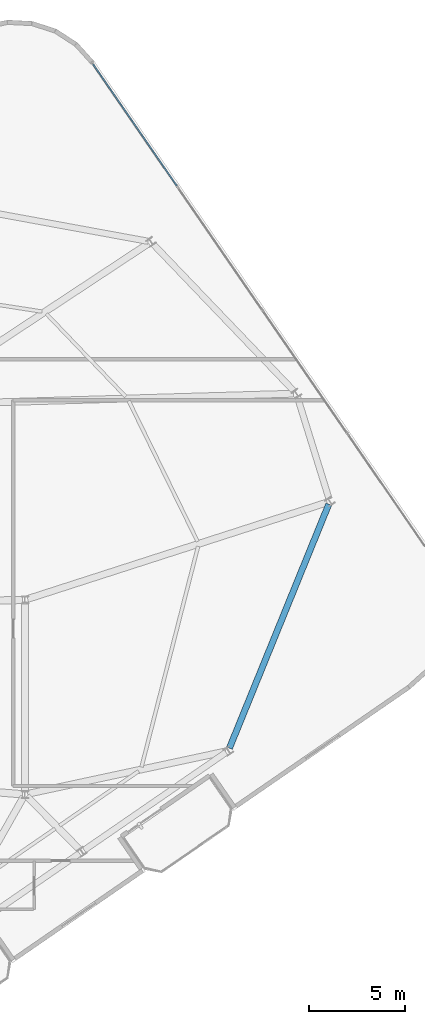
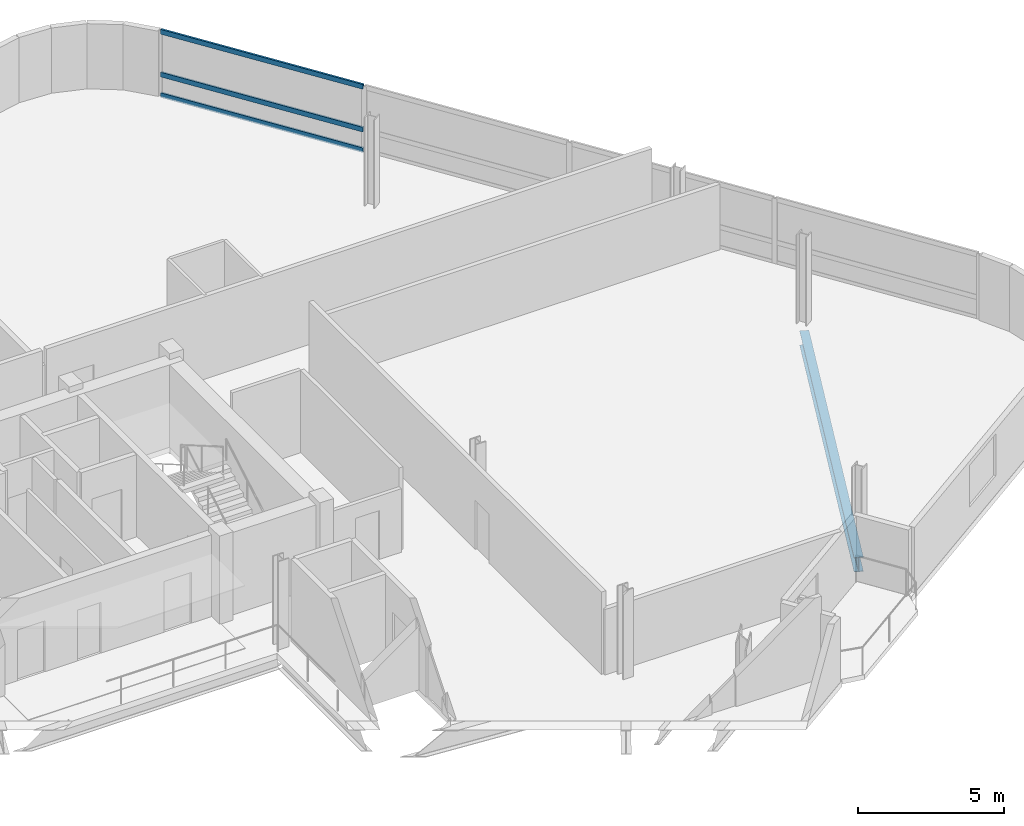
# One storey, part 10 of 21: 3 members, 1 beam, 1 element without a shape of its own.
"""IFC4 building model written with IfcOpenShell, lengths in metres."""

import ifcopenshell
import ifcopenshell.guid

model = None  # the IFC model being written
_history = None  # IfcOwnerHistory: only IFC2X3 demands one
_inside = {}  # id of a spatial element -> (the spatial element, [elements in it])
_under = {}  # id of a project, library or spatial element -> (it, [spatial elements below it])
_declared = {}  # id of a project -> (the project, [libraries it declares])
_typed = {}  # id of a type object -> (the type object, [elements of that type])
_made_of = {}  # id of a material, layer set ... -> (it, [elements and type objects made of it])


def new_model(schema):
    """Start an empty IFC model of exactly this schema.

    Asked for "IFC4X3", IfcOpenShell would pick the latest addendum, in which some entities
    have other attributes; the version numbers below select the first issue.
    IFC2X3 requires an IfcOwnerHistory on every rooted entity: one is made here for all.
    """
    global model, _history
    if schema == "IFC4X3":
        model = ifcopenshell.file(schema_version=(4, 3, 0, 0))
    else:
        model = ifcopenshell.file(schema=schema)
    _inside.clear()
    _under.clear()
    _declared.clear()
    _typed.clear()
    _made_of.clear()
    _history = None
    if model.schema == "IFC2X3":
        org = make("IfcOrganization", Name="unknown")
        user = make(
            "IfcPersonAndOrganization",
            ThePerson=make("IfcPerson", FamilyName="unknown"),
            TheOrganization=org,
        )
        app = make(
            "IfcApplication",
            ApplicationDeveloper=org,
            Version="unknown",
            ApplicationFullName="unknown",
            ApplicationIdentifier="unknown",
        )
        _history = make(
            "IfcOwnerHistory",
            OwningUser=user,
            OwningApplication=app,
            ChangeAction="ADDED",
            CreationDate=0,
        )
    return model


def make(cls, **values):
    """One entity of the class cls with the attributes given. An attribute that is None is left unset."""
    return model.create_entity(
        cls, **{name: value for name, value in values.items() if value is not None}
    )


def rooted(cls, **values):
    """An entity with a GlobalId (a new one), such as an element, a storey or a relation."""
    return make(cls, GlobalId=ifcopenshell.guid.new(), OwnerHistory=_history, **values)


def si_unit(unit_type, name, prefix=None):
    """IfcSIUnit, for example si_unit("LENGTHUNIT", "METRE", prefix="MILLI")."""
    return make("IfcSIUnit", UnitType=unit_type, Prefix=prefix, Name=name)


def assignment(units):
    """IfcUnitAssignment: the units of a project."""
    return None if units is None else make("IfcUnitAssignment", Units=units)


def point(xyz):
    """IfcCartesianPoint."""
    return None if xyz is None else make("IfcCartesianPoint", Coordinates=xyz)


def direction(xyz):
    """IfcDirection."""
    return None if xyz is None else make("IfcDirection", DirectionRatios=xyz)


def frame(location, z_axis=None, x_axis=None):
    """IfcAxis2Placement3D, a coordinate frame: its origin and axes. An axis left out is left unset."""
    return make(
        "IfcAxis2Placement3D",
        Location=point(location),
        Axis=direction(z_axis),
        RefDirection=direction(x_axis),
    )


def frame_2d(location, x_axis=None):
    """IfcAxis2Placement2D, a coordinate frame in the plane: its origin and x axis."""
    return make(
        "IfcAxis2Placement2D", Location=point(location), RefDirection=direction(x_axis)
    )


def origin():
    """The frame at (0, 0, 0) with its axes left unset."""
    return frame((0.0, 0.0, 0.0))


def origin_2d():
    """The frame at (0, 0) in the plane with its x axis left unset."""
    return frame_2d((0.0, 0.0))


def place(relative_to, where):
    """IfcLocalPlacement: puts the frame where relative to a parent placement (None: the world)."""
    return make(
        "IfcLocalPlacement", PlacementRelTo=relative_to, RelativePlacement=where
    )


def context(
    kind, dimensions, precision=None, world=None, true_north=None, identifier=None
):
    """IfcGeometricRepresentationContext, for example the 3D "Model" context."""
    return make(
        "IfcGeometricRepresentationContext",
        ContextIdentifier=identifier,
        ContextType=kind,
        CoordinateSpaceDimension=dimensions,
        Precision=precision,
        WorldCoordinateSystem=world,
        TrueNorth=true_north,
    )


def subcontext(parent, identifier, kind, view, scale=None):
    """IfcGeometricRepresentationSubContext, for example "Body" below "Model"."""
    return make(
        "IfcGeometricRepresentationSubContext",
        ContextIdentifier=identifier,
        ContextType=kind,
        ParentContext=parent,
        TargetScale=scale,
        TargetView=view,
    )


def project(units=None, contexts=None):
    """IfcProject with its units and contexts."""
    return rooted(
        "IfcProject",
        Name="project",
        RepresentationContexts=contexts,
        UnitsInContext=assignment(units),
    )


def spatial(cls, under=None, at=None, **own):
    """A site, building, storey or space (cls), placed at a placement, below another one or the project."""
    s = rooted(cls, ObjectPlacement=at, **own)
    if under is not None:
        _under.setdefault(under.id(), (under, []))[1].append(s)
    return s


def profile(cls, at=None, kind="AREA", **sizes):
    """A parametric profile (cls). Its sizes go by their IFC names, for example OverallWidth=200.0."""
    return make(cls, ProfileType=kind, Position=at, **sizes)


def hollow_rectangle(**sizes):
    """IfcRectangleHollowProfileDef."""
    return profile("IfcRectangleHollowProfileDef", **sizes)


def i_section(**sizes):
    """IfcIShapeProfileDef."""
    return profile("IfcIShapeProfileDef", **sizes)


def extrude(swept, where, along, depth):
    """IfcExtrudedAreaSolid: the profile swept, set in the frame where, extruded along a direction by depth."""
    return make(
        "IfcExtrudedAreaSolid",
        SweptArea=swept,
        Position=where,
        ExtrudedDirection=direction(along),
        Depth=depth,
    )


def shape(context_of_items, identifier, shape_type, items):
    """IfcShapeRepresentation: the items that make up one representation, for example the "Body"."""
    return make(
        "IfcShapeRepresentation",
        ContextOfItems=context_of_items,
        RepresentationIdentifier=identifier,
        RepresentationType=shape_type,
        Items=items,
    )


def material(Name=None, Category=None):
    """IfcMaterial."""
    return make("IfcMaterial", Name=Name, Category=Category)


def layer(
    of_material, thickness, ventilated=None, Name=None, Category=None, Priority=None
):
    """IfcMaterialLayer: one layer of a wall or slab, of a material (None: an air gap)."""
    return make(
        "IfcMaterialLayer",
        Material=of_material,
        LayerThickness=thickness,
        IsVentilated=ventilated,
        Name=Name,
        Category=Category,
        Priority=Priority,
    )


def layer_set(layers, Name=None):
    """IfcMaterialLayerSet."""
    return make("IfcMaterialLayerSet", MaterialLayers=layers, LayerSetName=Name)


def material_profile(
    of_material, cross_section, Name=None, Category=None, Priority=None
):
    """IfcMaterialProfile: a cross section and its material."""
    return make(
        "IfcMaterialProfile",
        Name=Name,
        Material=of_material,
        Profile=cross_section,
        Priority=Priority,
        Category=Category,
    )


def profile_set(profiles, Name=None, composite=None):
    """IfcMaterialProfileSet."""
    return make(
        "IfcMaterialProfileSet",
        Name=Name,
        MaterialProfiles=profiles,
        CompositeProfile=composite,
    )


def made_of(thing, what):
    """Note that an element or type object is made of a material, layer set ...; save() writes the relation."""
    if what is not None:
        _made_of.setdefault(what.id(), (what, []))[1].append(thing)
    return thing


def type_object(cls, material=None, **own):
    """A type object (cls), such as IfcWallType, which elements share."""
    return made_of(rooted(cls, **own), material)


def element(
    cls,
    number,
    at=None,
    inside=None,
    cuts=None,
    type_object=None,
    material=None,
    context=None,
    identifier="Body",
    shape_type=None,
    held_by="IfcProductDefinitionShape",
    body=None,
    shapes=None,
    **own,
):
    """One element of the class cls, such as IfcWall. Its Tag is "e" and its number.

    at: its placement. inside: the storey or other place that contains it. cuts: it is an
    opening in that element (IfcRelVoidsElement). A single representation is given by context,
    identifier, shape_type and body (its items); several are given by shapes. held_by: the class
    of the entity that holds the representations. save() writes the other relations.
    """
    e = rooted(cls, Tag="e%d" % number, ObjectPlacement=at, **own)
    if body is not None:
        shapes = [shape(context, identifier, shape_type, body)]
    if shapes is not None:
        e.Representation = make(held_by, Representations=shapes)
    if inside is not None:
        _inside.setdefault(inside.id(), (inside, []))[1].append(e)
    if cuts is not None:
        rooted(
            "IfcRelVoidsElement", RelatingBuildingElement=cuts, RelatedOpeningElement=e
        )
    if type_object is not None:
        _typed.setdefault(type_object.id(), (type_object, []))[1].append(e)
    return made_of(e, material)


def aggregate(whole, parts):
    """IfcRelAggregates: a whole, such as a stair, and the parts it consists of."""
    return rooted("IfcRelAggregates", RelatingObject=whole, RelatedObjects=parts)


def save(model, path):
    """Write the relations noted so far, then the file.

    IfcRelAggregates (storeys below a building ...), IfcRelContainedInSpatialStructure (elements
    in a storey), IfcRelDefinesByType, IfcRelAssociatesMaterial and IfcRelDeclares: one each for
    every whole, place, type object, material and project.
    """
    for whole, parts in _under.values():
        aggregate(whole, parts)
    for where, things in _inside.values():
        rooted(
            "IfcRelContainedInSpatialStructure",
            RelatedElements=things,
            RelatingStructure=where,
        )
    for kind, things in _typed.values():
        rooted("IfcRelDefinesByType", RelatedObjects=things, RelatingType=kind)
    for what, things in _made_of.values():
        rooted("IfcRelAssociatesMaterial", RelatedObjects=things, RelatingMaterial=what)
    for by, libraries in _declared.values():
        rooted("IfcRelDeclares", RelatingContext=by, RelatedDefinitions=libraries)
    model.write(path)


model = new_model("IFC4")

# Units and contexts
model_context = context("Model", 3, precision=1e-05, world=origin(), true_north=direction((0.0, 1.0)))
body_context = subcontext(model_context, "Body", "Model", "MODEL_VIEW")
ifc_project = project(units=[si_unit("LENGTHUNIT", "METRE"), si_unit("AREAUNIT", "SQUARE_METRE"), si_unit("VOLUMEUNIT", "CUBIC_METRE"), si_unit("PLANEANGLEUNIT", "RADIAN"), si_unit("MASSUNIT", "GRAM", prefix="KILO")], contexts=[model_context])

# Site, building, storey
site_placement = place(None, origin())
site = spatial("IfcSite", under=ifc_project, at=site_placement, CompositionType="ELEMENT")
building_placement = place(site_placement, origin())
building = spatial("IfcBuilding", under=site, at=building_placement, Name="Varnelok Gate Tower", CompositionType="ELEMENT")
storey_placement = place(building_placement, frame((0.0, 0.0, 265.60009765625)))
storey = spatial("IfcBuildingStorey", under=building, at=storey_placement, Name="L68", CompositionType="ELEMENT", Elevation=265.60009765625)

# Beam
ifc_material_1 = material(Name="Structural Steel ASTM A992 Grade 50", Category="steel")
ifc_material_profile_1 = material_profile(ifc_material_1, i_section(OverallWidth=0.323974609375, OverallDepth=0.611083984375, WebThickness=0.0126953125, FlangeThickness=0.01904296875, FilletRadius=0.01806640625, at=origin_2d()), Name="W24X104")
ifc_profile_set_1 = profile_set([ifc_material_profile_1], Name="Structural Steel ASTM A992 Grade 50")
beam_type = type_object("IfcBeamType", Name="BM-SPN-W24X104", PredefinedType="SPANDREL", material=ifc_profile_set_1)
beam_placement = place(storey_placement, frame((64.634765625, 21.20849609375, -0.5556640625), z_axis=(0.377167779659, 0.926144948692, 0.0), x_axis=(-0.926144948692, 0.377167779659, 0.0)))
element("IfcBeam", 1, at=beam_placement, inside=storey, type_object=beam_type, Name="L68 Perimeter Spandrel Beam 5", PredefinedType="SPANDREL", context=body_context, shape_type="SweptSolid", body=[
    extrude(i_section(OverallWidth=0.323974609375, OverallDepth=0.611083984375, WebThickness=0.0126953125, FlangeThickness=0.01904296875, FilletRadius=0.01806640625, at=origin_2d()), origin(), (0.0, 0.0, 1.0), 13.695556640625),
])

# Curtain wall, members
ifc_material_2 = material(Name="Anodized Aluminum Alloy 6063-T6", Category="aluminium")
ifc_layer = layer(ifc_material_2, 0.179931640625)
ifc_layer_set = layer_set([ifc_layer], Name="Anodized Aluminum Alloy 6063-T6")
curtain_wall_type = type_object("IfcCurtainWallType", Name="CW4-RESIDENCE-VISION", PredefinedType="USERDEFINED", material=ifc_layer_set)
curtain_wall_placement = place(storey_placement, origin())
curtain_wall = element("IfcCurtainWall", 2, at=curtain_wall_placement, inside=storey, type_object=curtain_wall_type, Name="L68 East End Vision Curtain Wall", ObjectType="UNITISED CURTAIN WALL", PredefinedType="USERDEFINED")
ifc_material_profile_2 = material_profile(ifc_material_2, hollow_rectangle(XDim=0.074951171875, YDim=0.199951171875, WallThickness=0.00390625, at=origin_2d()), Name="ALU200X75X4")
ifc_profile_set_2 = profile_set([ifc_material_profile_2], Name="Anodized Aluminum Alloy 6063-T6")
member_type = type_object("IfcMemberType", Name="CW-TRAN-200", PredefinedType="USERDEFINED", material=ifc_profile_set_2)
member_1_placement = place(storey_placement, frame((57.536865234375, 56.782470703125, 0.037353515625), z_axis=(0.567271254331, -0.823531009744, 0.0), x_axis=(0.823531009744, 0.567271254331, 0.0)))
member_1 = element("IfcMember", 3, at=member_1_placement, type_object=member_type, Name="CW4 transom 1.1", ObjectType="TRANSOM", PredefinedType="USERDEFINED", context=body_context, shape_type="SweptSolid", body=[
    extrude(hollow_rectangle(XDim=0.074951171875, YDim=0.199951171875, WallThickness=0.00390625, at=origin_2d()), origin(), (0.0, 0.0, 1.0), 7.6875),
])
member_2_placement = place(storey_placement, frame((57.536865234375, 56.782470703125, 0.89990234375), z_axis=(0.567271254331, -0.823531009744, 0.0), x_axis=(0.823531009744, 0.567271254331, 0.0)))
member_2 = element("IfcMember", 4, at=member_2_placement, type_object=member_type, Name="CW4 transom 1.2", ObjectType="TRANSOM", PredefinedType="USERDEFINED", context=body_context, shape_type="SweptSolid", body=[
    extrude(hollow_rectangle(XDim=0.074951171875, YDim=0.199951171875, WallThickness=0.00390625, at=origin_2d()), origin(), (0.0, 0.0, 1.0), 7.6875),
])
member_3_placement = place(storey_placement, frame((57.536865234375, 56.782470703125, 2.6923828125), z_axis=(0.567271254331, -0.823531009744, 0.0), x_axis=(0.823531009744, 0.567271254331, 0.0)))
member_3 = element("IfcMember", 5, at=member_3_placement, type_object=member_type, Name="CW4 transom 1.3", ObjectType="TRANSOM", PredefinedType="USERDEFINED", context=body_context, shape_type="SweptSolid", body=[
    extrude(hollow_rectangle(XDim=0.074951171875, YDim=0.199951171875, WallThickness=0.00390625, at=origin_2d()), origin(), (0.0, 0.0, 1.0), 7.6875),
])
aggregate(curtain_wall, [member_1, member_2, member_3])

save(model, "model.ifc")
